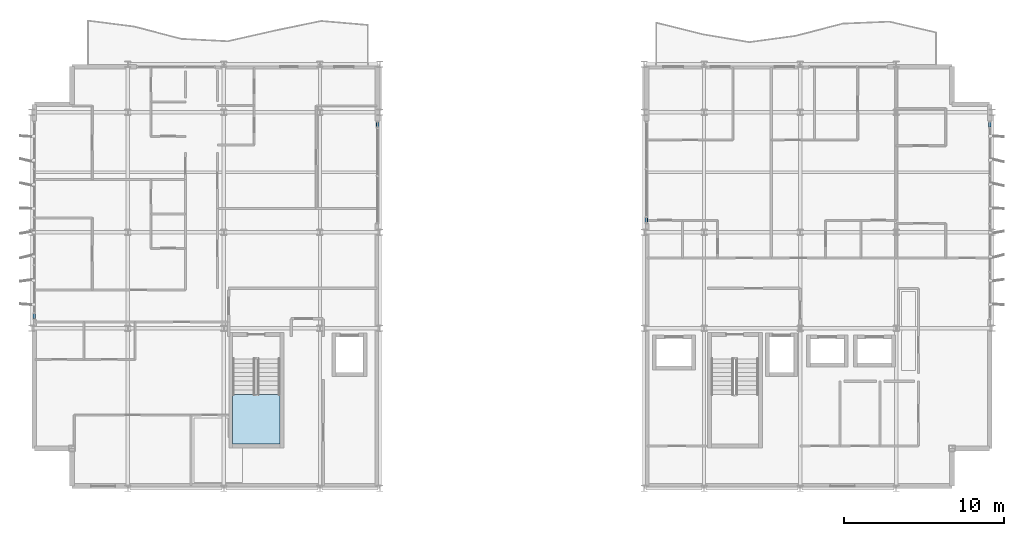
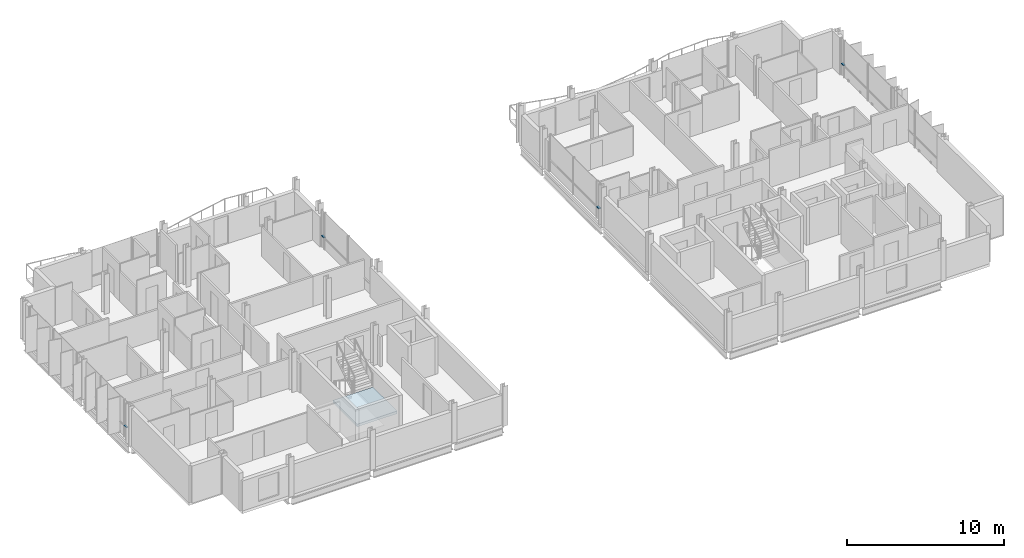
# One storey, part 15 of 30: 4 members, 1 slab, 5 elements without a shape of their own.
"""IFC4 building model written with IfcOpenShell, lengths in metres."""

from ifc_helpers import new_model, si_unit, direction, frame, origin, origin_2d, place, context, subcontext, project, spatial, polyline, hollow_rectangle, outline, extrude, material, layer, layer_set, material_profile, profile_set, type_object, element, aggregate, save


model = new_model("IFC4")

# Units and contexts
model_context = context("Model", 3, precision=1e-05, world=origin(), true_north=direction((0.0, 1.0)))
body_context = subcontext(model_context, "Body", "Model", "MODEL_VIEW")
ifc_project = project(units=[si_unit("LENGTHUNIT", "METRE"), si_unit("AREAUNIT", "SQUARE_METRE"), si_unit("VOLUMEUNIT", "CUBIC_METRE"), si_unit("PLANEANGLEUNIT", "RADIAN"), si_unit("MASSUNIT", "GRAM", prefix="KILO")], contexts=[model_context])

# Site, building, storey
site_placement = place(None, origin())
site = spatial("IfcSite", under=ifc_project, at=site_placement, CompositionType="ELEMENT")
building_placement = place(site_placement, origin())
building = spatial("IfcBuilding", under=site, at=building_placement, Name="Brevholm Reach", CompositionType="ELEMENT")
storey_placement = place(building_placement, frame((0.0, 0.0, 204.89990234375)))
storey = spatial("IfcBuildingStorey", under=building, at=storey_placement, Name="L62", CompositionType="ELEMENT", Elevation=204.89990234375)

# Curtain wall, member
ifc_material_1 = material(Name="Dark Anodised Aluminium 6063-T6 and Solar-Control Glass", Category="aluminium")
ifc_layer_1 = layer(ifc_material_1, 0.14990234375)
ifc_layer_set_1 = layer_set([ifc_layer_1], Name="Dark Anodised Aluminium 6063-T6 and Solar-Control Glass")
curtain_wall_type_1 = type_object("IfcCurtainWallType", Name="CW-01", PredefinedType="NOTDEFINED", material=ifc_layer_set_1)
curtain_wall_1_placement = place(storey_placement, origin())
curtain_wall_1 = element("IfcCurtainWall", 1, at=curtain_wall_1_placement, inside=storey, type_object=curtain_wall_type_1, Name="L62 Curtain Wall CW-01", PredefinedType="NOTDEFINED")
ifc_material_2 = material(Name="Dark Anodised Aluminium 6063-T6", Category="aluminium")
ifc_material_profile_1 = material_profile(ifc_material_2, hollow_rectangle(XDim=0.06494140625, YDim=0.14990234375, WallThickness=0.0048828125, InnerFilletRadius=0.0048828125, OuterFilletRadius=0.010009765625, at=origin_2d()), Name="RHS 150x65x5")
ifc_profile_set_1 = profile_set([ifc_material_profile_1], Name="Dark Anodised Aluminium 6063-T6")
member_type_1 = type_object("IfcMemberType", Name="CWT-150", PredefinedType="NOTDEFINED", material=ifc_profile_set_1)
member_1_placement = place(storey_placement, frame((0.14990234375, 10.91748046875, 0.900146484375), z_axis=(0.0, -1.0, 0.0), x_axis=(0.0, 0.0, 1.0)))
member_1 = element("IfcMember", 2, at=member_1_placement, type_object=member_type_1, Name="CT-150 Transom 5.1", ObjectType="TRANSOM", PredefinedType="USERDEFINED", context=body_context, shape_type="SweptSolid", body=[
    extrude(hollow_rectangle(XDim=0.06494140625, YDim=0.14990234375, WallThickness=0.0048828125, InnerFilletRadius=0.0048828125, OuterFilletRadius=0.010009765625, at=origin_2d()), origin(), (0.0, 0.0, 1.0), 0.302490234375),
])
aggregate(curtain_wall_1, [member_1])

curtain_wall_2_placement = place(storey_placement, origin())
curtain_wall_2 = element("IfcCurtainWall", 3, at=curtain_wall_2_placement, inside=storey, type_object=curtain_wall_type_1, Name="L62 Curtain Wall CW-01", PredefinedType="NOTDEFINED")
member_2_placement = place(storey_placement, frame((59.85009765625, 22.58251953125, 0.900146484375), z_axis=(0.0, 1.0, 0.0), x_axis=(0.0, 0.0, 1.0)))
member_2 = element("IfcMember", 4, at=member_2_placement, type_object=member_type_1, Name="CT-150 Transom 5.1", ObjectType="TRANSOM", PredefinedType="USERDEFINED", context=body_context, shape_type="SweptSolid", body=[
    extrude(hollow_rectangle(XDim=0.06494140625, YDim=0.14990234375, WallThickness=0.0048828125, InnerFilletRadius=0.0048828125, OuterFilletRadius=0.010009765625, at=origin_2d()), origin(), (0.0, 0.0, 1.0), 0.302490234375),
])
aggregate(curtain_wall_2, [member_2])

ifc_material_3 = material(Name="Dark Anodised Aluminium 6063-T6 and Solar-Control Glass", Category="aluminium")
ifc_layer_2 = layer(ifc_material_3, 0.1650390625)
ifc_layer_set_2 = layer_set([ifc_layer_2], Name="Dark Anodised Aluminium 6063-T6 and Solar-Control Glass")
curtain_wall_type_2 = type_object("IfcCurtainWallType", Name="CW-04", PredefinedType="NOTDEFINED", material=ifc_layer_set_2)
curtain_wall_3_placement = place(storey_placement, origin())
curtain_wall_3 = element("IfcCurtainWall", 5, at=curtain_wall_3_placement, inside=storey, type_object=curtain_wall_type_2, Name="L62 Curtain Wall CW-04", PredefinedType="NOTDEFINED")
ifc_material_4 = material(Name="Dark Anodised Aluminium 6063-T6", Category="aluminium")
ifc_material_profile_2 = material_profile(ifc_material_4, hollow_rectangle(XDim=0.070068359375, YDim=0.1650390625, WallThickness=0.0048828125, InnerFilletRadius=0.0048828125, OuterFilletRadius=0.010009765625, at=origin_2d()), Name="RHS 165x70x5")
ifc_profile_set_2 = profile_set([ifc_material_profile_2], Name="Dark Anodised Aluminium 6063-T6")
member_type_2 = type_object("IfcMemberType", Name="CWT-165", PredefinedType="NOTDEFINED", material=ifc_profile_set_2)
member_3_placement = place(storey_placement, frame((21.60009765625, 22.5849609375, 0.900146484375), z_axis=(0.0, 1.0, 0.0), x_axis=(0.0, 0.0, 1.0)))
member_3 = element("IfcMember", 6, at=member_3_placement, type_object=member_type_2, Name="CT-165 Transom 3.1", ObjectType="TRANSOM", PredefinedType="USERDEFINED", context=body_context, shape_type="SweptSolid", body=[
    extrude(hollow_rectangle(XDim=0.070068359375, YDim=0.1650390625, WallThickness=0.0048828125, InnerFilletRadius=0.0048828125, OuterFilletRadius=0.010009765625, at=origin_2d()), origin(), (0.0, 0.0, 1.0), 0.294921875),
])
aggregate(curtain_wall_3, [member_3])

curtain_wall_4_placement = place(storey_placement, origin())
curtain_wall_4 = element("IfcCurtainWall", 7, at=curtain_wall_4_placement, inside=storey, type_object=curtain_wall_type_2, Name="L62 Curtain Wall CW-04", PredefinedType="NOTDEFINED")
member_4_placement = place(storey_placement, frame((38.39990234375, 16.9150390625, 0.900146484375), z_axis=(0.0, -1.0, 0.0), x_axis=(0.0, 0.0, 1.0)))
member_4 = element("IfcMember", 8, at=member_4_placement, type_object=member_type_2, Name="CT-165 Transom 3.1", ObjectType="TRANSOM", PredefinedType="USERDEFINED", context=body_context, shape_type="SweptSolid", body=[
    extrude(hollow_rectangle(XDim=0.070068359375, YDim=0.1650390625, WallThickness=0.0048828125, InnerFilletRadius=0.0048828125, OuterFilletRadius=0.010009765625, at=origin_2d()), origin(), (0.0, 0.0, 1.0), 0.294921875),
])
aggregate(curtain_wall_4, [member_4])

# Stair, slab
ifc_material_5 = material(Name="Precast Concrete C40/50", Category="concrete")
stair_type = type_object("IfcStairType", Name="STR-ESC-1400", PredefinedType="DOUBLE_RETURN_STAIR", material=ifc_material_5)
stair_placement = place(storey_placement, origin())
stair = element("IfcStair", 9, at=stair_placement, inside=storey, type_object=stair_type, Name="L62 ST-1", PredefinedType="DOUBLE_RETURN_STAIR")
ifc_material_6 = material(Name="Concrete C40/50", Category="concrete")
ifc_layer_3 = layer(ifc_material_6, 0.199951171875)
ifc_layer_set_3 = layer_set([ifc_layer_3], Name="Concrete C40/50")
slab_type = type_object("IfcSlabType", Name="SLB-LND-200", PredefinedType="LANDING", material=ifc_layer_set_3)
slab_placement = place(storey_placement, frame((0.0, 0.0, 1.35009765625)))
slab = element("IfcSlab", 10, at=slab_placement, type_object=slab_type, Name="ST-1 landing 1", PredefinedType="LANDING", context=body_context, shape_type="SweptSolid", body=[
    extrude(outline(polyline([(12.550048828125, 5.860107421875), (12.550048828125, 2.780029296875), (15.5, 2.780029296875), (15.5, 5.860107421875), (12.550048828125, 5.860107421875)])), origin(), (0.0, 0.0, 1.0), 0.199951171875),
])
aggregate(stair, [slab])

save(model, "model.ifc")
